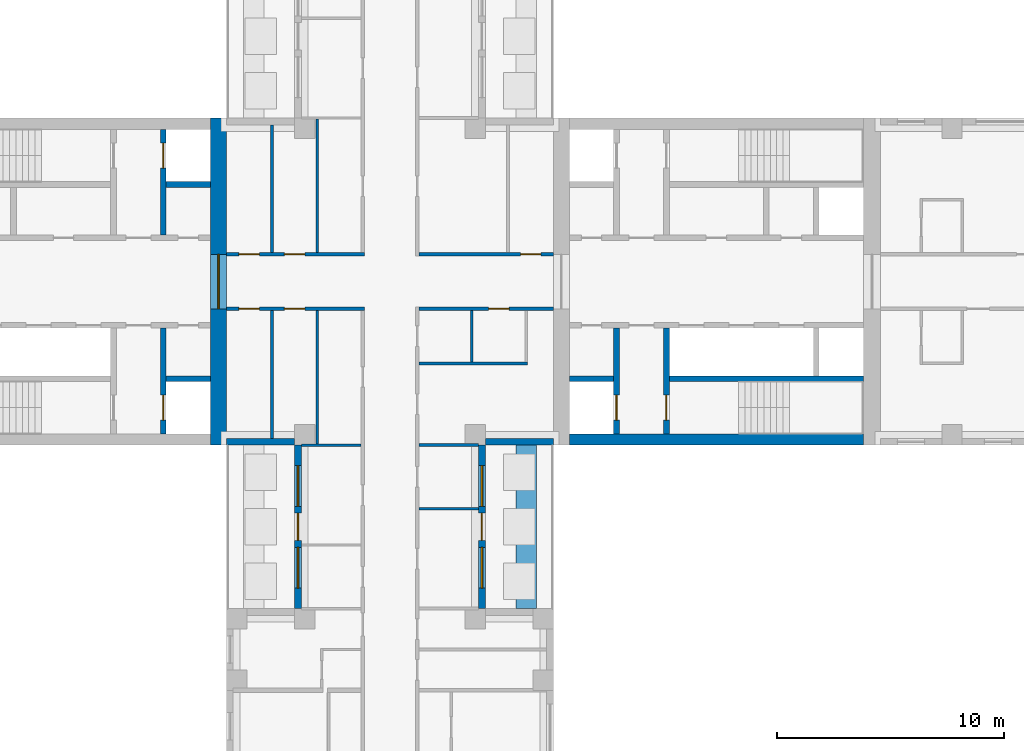
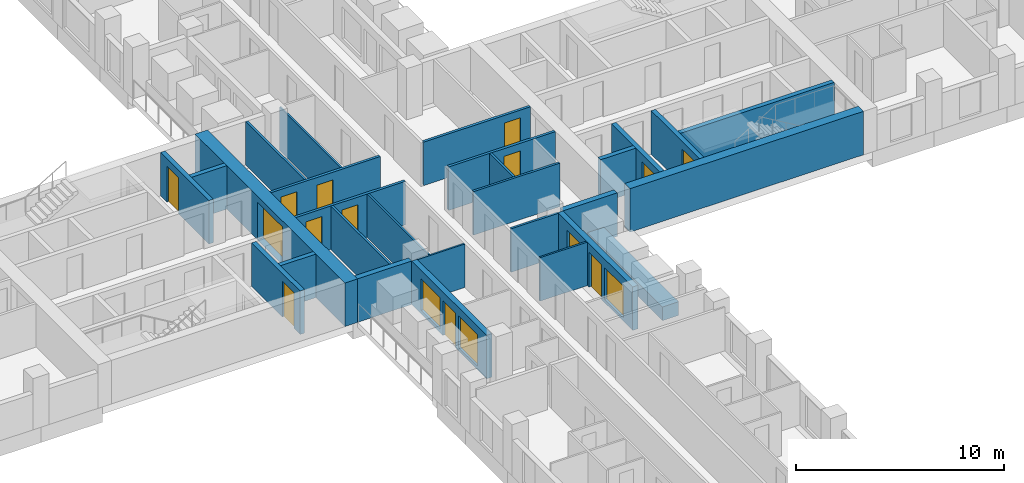
# One storey, part 7 of 15: 28 walls, 13 doors, 4 windows, 17 openings.
"""IFC4 building model written with IfcOpenShell, lengths in metres."""

from ifc_helpers import new_model, si_unit, direction, frame, frame_2d, origin, place, context, subcontext, project, spatial, rectangle, extrude, material, layer, layer_set, type_object, element, fill, save


model = new_model("IFC4")

# Units and contexts
model_context = context("Model", 3, precision=1e-05, world=origin(), true_north=direction((0.0, 1.0)))
body_context = subcontext(model_context, "Body", "Model", "MODEL_VIEW")
ifc_project = project(units=[si_unit("LENGTHUNIT", "METRE"), si_unit("AREAUNIT", "SQUARE_METRE"), si_unit("VOLUMEUNIT", "CUBIC_METRE"), si_unit("PLANEANGLEUNIT", "RADIAN"), si_unit("MASSUNIT", "GRAM", prefix="KILO")], contexts=[model_context])

# Site, building, storey
site_placement = place(None, origin())
site = spatial("IfcSite", under=ifc_project, at=site_placement, CompositionType="ELEMENT")
building_placement = place(site_placement, origin())
building = spatial("IfcBuilding", under=site, at=building_placement, Name="Fustian Cross Tower", CompositionType="ELEMENT")
storey_placement = place(building_placement, frame((0.0, 0.0, 59.699951171875)))
storey = spatial("IfcBuildingStorey", under=building, at=storey_placement, Name="L18", CompositionType="ELEMENT", Elevation=59.699951171875)

# Wall, openings, doors
ifc_material_1 = material(Name="Plasterboard on steel stud", Category="steel")
ifc_layer_1 = layer(ifc_material_1, 0.14990234375)
ifc_layer_set_1 = layer_set([ifc_layer_1], Name="Plasterboard on steel stud")
wall_type_1 = type_object("IfcWallType", Name="COMPARTMENT WALL 150 EI 60", PredefinedType="PARTITIONING", material=ifc_layer_set_1)
wall_1_placement = place(storey_placement, frame((-7.199951171875, -1.199951171875, 0.0), z_axis=(0.0, 0.0, 1.0), x_axis=(1.0, 0.0, 0.0)))
wall_1 = element("IfcWall", 1, at=wall_1_placement, inside=storey, type_object=wall_type_1, Name="Partition 12", PredefinedType="PARTITIONING", context=body_context, shape_type="SweptSolid", body=[
    extrude(rectangle(XDim=6.074951171875, YDim=0.14990234375, at=frame_2d((3.03759765625, 0.0))), origin(), (0.0, 0.0, 1.0), 2.550048828125),
])
opening_1_placement = place(wall_1_placement, frame((2.550048828125, 0.0, 0.0)))
opening_1 = element("IfcOpeningElement", 2, at=opening_1_placement, cuts=wall_1, Name="Opening D09010", PredefinedType="OPENING", context=body_context, shape_type="SweptSolid", body=[
    extrude(rectangle(XDim=0.89990234375, YDim=2.10009765625, at=frame_2d((0.449951171875, 1.050048828125))), frame((0.0, 0.0849609375, 0.0), z_axis=(0.0, -1.0, 0.0), x_axis=(1.0, 0.0, 0.0)), (0.0, 0.0, 1.0), 0.169921875),
])
opening_2_placement = place(wall_1_placement, frame((0.550048828125, 0.0, 0.0)))
opening_2 = element("IfcOpeningElement", 3, at=opening_2_placement, cuts=wall_1, Name="Opening D09011", PredefinedType="OPENING", context=body_context, shape_type="SweptSolid", body=[
    extrude(rectangle(XDim=0.89990234375, YDim=2.10009765625, at=frame_2d((0.449951171875, 1.050048828125))), frame((0.0, 0.0849609375, 0.0), z_axis=(0.0, -1.0, 0.0), x_axis=(1.0, 0.0, 0.0)), (0.0, 0.0, 1.0), 0.169921875),
])
ifc_material_2 = material(Name="Timber fire door set", Category="wood")
door_type_1 = type_object("IfcDoorType", Name="FIRE SWING DOOR 900 FD30S", OperationType="SINGLE_SWING_LEFT", PredefinedType="DOOR", material=ifc_material_2)
door_1_placement = place(opening_1_placement, frame((0.89990234375, 0.0, 0.0), z_axis=(0.0, 0.0, 1.0), x_axis=(-1.0, 0.0, 0.0)))
door_1 = element("IfcDoor", 4, at=door_1_placement, inside=storey, type_object=door_type_1, Name="Door D09010", OperationType="SINGLE_SWING_RIGHT", OverallHeight=2.10009765625, OverallWidth=0.89990234375, PredefinedType="DOOR", context=body_context, shape_type="SweptSolid", body=[
    extrude(rectangle(XDim=0.89990234375, YDim=2.10009765625, at=frame_2d((0.449951171875, 1.050048828125))), frame((0.0, 0.02490234375, 0.0), z_axis=(0.0, -1.0, 0.0), x_axis=(1.0, 0.0, 0.0)), (0.0, 0.0, 1.0), 0.050048828125),
])
fill(opening_1, door_1)
door_2_placement = place(opening_2_placement, frame((0.89990234375, 0.0, 0.0), z_axis=(0.0, 0.0, 1.0), x_axis=(-1.0, 0.0, 0.0)))
door_2 = element("IfcDoor", 5, at=door_2_placement, inside=storey, type_object=door_type_1, Name="Door D09011", OperationType="SINGLE_SWING_RIGHT", OverallHeight=2.10009765625, OverallWidth=0.89990234375, PredefinedType="DOOR", context=body_context, shape_type="SweptSolid", body=[
    extrude(rectangle(XDim=0.89990234375, YDim=2.10009765625, at=frame_2d((0.449951171875, 1.050048828125))), frame((0.0, 0.02490234375, 0.0), z_axis=(0.0, -1.0, 0.0), x_axis=(1.0, 0.0, 0.0)), (0.0, 0.0, 1.0), 0.050048828125),
])
fill(opening_2, door_2)

wall_2_placement = place(storey_placement, frame((-7.199951171875, 1.199951171875, 0.0), z_axis=(0.0, 0.0, 1.0), x_axis=(1.0, 0.0, 0.0)))
wall_2 = element("IfcWall", 6, at=wall_2_placement, inside=storey, type_object=wall_type_1, Name="Partition 13", PredefinedType="PARTITIONING", context=body_context, shape_type="SweptSolid", body=[
    extrude(rectangle(XDim=6.074951171875, YDim=0.14990234375, at=frame_2d((3.03759765625, 0.0))), origin(), (0.0, 0.0, 1.0), 2.550048828125),
])
opening_3_placement = place(wall_2_placement, frame((2.550048828125, 0.0, 0.0)))
opening_3 = element("IfcOpeningElement", 7, at=opening_3_placement, cuts=wall_2, Name="Opening D09004", PredefinedType="OPENING", context=body_context, shape_type="SweptSolid", body=[
    extrude(rectangle(XDim=0.89990234375, YDim=2.10009765625, at=frame_2d((0.449951171875, 1.050048828125))), frame((0.0, 0.0849609375, 0.0), z_axis=(0.0, -1.0, 0.0), x_axis=(1.0, 0.0, 0.0)), (0.0, 0.0, 1.0), 0.169921875),
])
opening_4_placement = place(wall_2_placement, frame((0.550048828125, 0.0, 0.0)))
opening_4 = element("IfcOpeningElement", 8, at=opening_4_placement, cuts=wall_2, Name="Opening D09005", PredefinedType="OPENING", context=body_context, shape_type="SweptSolid", body=[
    extrude(rectangle(XDim=0.89990234375, YDim=2.10009765625, at=frame_2d((0.449951171875, 1.050048828125))), frame((0.0, 0.0849609375, 0.0), z_axis=(0.0, -1.0, 0.0), x_axis=(1.0, 0.0, 0.0)), (0.0, 0.0, 1.0), 0.169921875),
])
door_3_placement = place(opening_3_placement, origin())
door_3 = element("IfcDoor", 9, at=door_3_placement, inside=storey, type_object=door_type_1, Name="Door D09004", OperationType="SINGLE_SWING_LEFT", OverallHeight=2.10009765625, OverallWidth=0.89990234375, PredefinedType="DOOR", context=body_context, shape_type="SweptSolid", body=[
    extrude(rectangle(XDim=0.89990234375, YDim=2.10009765625, at=frame_2d((0.449951171875, 1.050048828125))), frame((0.0, 0.02490234375, 0.0), z_axis=(0.0, -1.0, 0.0), x_axis=(1.0, 0.0, 0.0)), (0.0, 0.0, 1.0), 0.050048828125),
])
fill(opening_3, door_3)
door_4_placement = place(opening_4_placement, origin())
door_4 = element("IfcDoor", 10, at=door_4_placement, inside=storey, type_object=door_type_1, Name="Door D09005", OperationType="SINGLE_SWING_LEFT", OverallHeight=2.10009765625, OverallWidth=0.89990234375, PredefinedType="DOOR", context=body_context, shape_type="SweptSolid", body=[
    extrude(rectangle(XDim=0.89990234375, YDim=2.10009765625, at=frame_2d((0.449951171875, 1.050048828125))), frame((0.0, 0.02490234375, 0.0), z_axis=(0.0, -1.0, 0.0), x_axis=(1.0, 0.0, 0.0)), (0.0, 0.0, 1.0), 0.050048828125),
])
fill(opening_4, door_4)

# Wall, opening, door
wall_3_placement = place(storey_placement, frame((1.27490234375, -1.199951171875, 0.0), z_axis=(0.0, 0.0, 1.0), x_axis=(1.0, 0.0, 0.0)))
wall_3 = element("IfcWall", 11, at=wall_3_placement, inside=storey, type_object=wall_type_1, Name="Partition 56", PredefinedType="PARTITIONING", context=body_context, shape_type="SweptSolid", body=[
    extrude(rectangle(XDim=5.925048828125, YDim=0.14990234375, at=frame_2d((2.96240234375, 0.0))), origin(), (0.0, 0.0, 1.0), 2.550048828125),
])
opening_5_placement = place(wall_3_placement, frame((3.074951171875, 0.0, 0.0)))
opening_5 = element("IfcOpeningElement", 12, at=opening_5_placement, cuts=wall_3, Name="Opening D09007", PredefinedType="OPENING", context=body_context, shape_type="SweptSolid", body=[
    extrude(rectangle(XDim=0.89990234375, YDim=2.10009765625, at=frame_2d((0.449951171875, 1.050048828125))), frame((0.0, 0.0849609375, 0.0), z_axis=(0.0, -1.0, 0.0), x_axis=(1.0, 0.0, 0.0)), (0.0, 0.0, 1.0), 0.169921875),
])
door_5_placement = place(opening_5_placement, frame((0.89990234375, 0.0, 0.0), z_axis=(0.0, 0.0, 1.0), x_axis=(-1.0, 0.0, 0.0)))
door_5 = element("IfcDoor", 13, at=door_5_placement, inside=storey, type_object=door_type_1, Name="Door D09007", OperationType="SINGLE_SWING_RIGHT", OverallHeight=2.10009765625, OverallWidth=0.89990234375, PredefinedType="DOOR", context=body_context, shape_type="SweptSolid", body=[
    extrude(rectangle(XDim=0.89990234375, YDim=2.10009765625, at=frame_2d((0.449951171875, 1.050048828125))), frame((0.0, 0.02490234375, 0.0), z_axis=(0.0, -1.0, 0.0), x_axis=(1.0, 0.0, 0.0)), (0.0, 0.0, 1.0), 0.050048828125),
])
fill(opening_5, door_5)

wall_4_placement = place(storey_placement, frame((1.27490234375, 1.199951171875, 0.0), z_axis=(0.0, 0.0, 1.0), x_axis=(1.0, 0.0, 0.0)))
wall_4 = element("IfcWall", 14, at=wall_4_placement, inside=storey, type_object=wall_type_1, Name="Partition 58", PredefinedType="PARTITIONING", context=body_context, shape_type="SweptSolid", body=[
    extrude(rectangle(XDim=5.925048828125, YDim=0.14990234375, at=frame_2d((2.96240234375, 0.0))), origin(), (0.0, 0.0, 1.0), 2.550048828125),
])
opening_6_placement = place(wall_4_placement, frame((4.47509765625, 0.0, 0.0)))
opening_6 = element("IfcOpeningElement", 15, at=opening_6_placement, cuts=wall_4, Name="Opening D09002", PredefinedType="OPENING", context=body_context, shape_type="SweptSolid", body=[
    extrude(rectangle(XDim=0.89990234375, YDim=2.10009765625, at=frame_2d((0.449951171875, 1.050048828125))), frame((0.0, 0.0849609375, 0.0), z_axis=(0.0, -1.0, 0.0), x_axis=(1.0, 0.0, 0.0)), (0.0, 0.0, 1.0), 0.169921875),
])
door_6_placement = place(opening_6_placement, origin())
door_6 = element("IfcDoor", 16, at=door_6_placement, inside=storey, type_object=door_type_1, Name="Door D09002", OperationType="SINGLE_SWING_LEFT", OverallHeight=2.10009765625, OverallWidth=0.89990234375, PredefinedType="DOOR", context=body_context, shape_type="SweptSolid", body=[
    extrude(rectangle(XDim=0.89990234375, YDim=2.10009765625, at=frame_2d((0.449951171875, 1.050048828125))), frame((0.0, 0.02490234375, 0.0), z_axis=(0.0, -1.0, 0.0), x_axis=(1.0, 0.0, 0.0)), (0.0, 0.0, 1.0), 0.050048828125),
])
fill(opening_6, door_6)

ifc_material_3 = material(Name="Concrete C80/95", Category="concrete")
ifc_layer_2 = layer(ifc_material_3, 0.699951171875)
ifc_layer_set_2 = layer_set([ifc_layer_2], Name="Concrete C80/95")
wall_type_2 = type_object("IfcWallType", Name="CORE END WALL 700 C80/95", PredefinedType="SHEAR", material=ifc_layer_set_2)
wall_5_placement = place(storey_placement, frame((-7.550048828125, -7.199951171875, 0.0), z_axis=(0.0, 0.0, 1.0), x_axis=(0.0, 1.0, 0.0)))
wall_5 = element("IfcWall", 17, at=wall_5_placement, inside=storey, type_object=wall_type_2, Name="Core end wall", PredefinedType="SHEAR", context=body_context, shape_type="SweptSolid", body=[
    extrude(rectangle(XDim=14.39990234375, YDim=0.699951171875, at=frame_2d((7.199951171875, 0.0))), origin(), (0.0, 0.0, 1.0), 2.550048828125),
])
opening_7_placement = place(wall_5_placement, frame((6.0, 0.0, 0.0)))
opening_7 = element("IfcOpeningElement", 18, at=opening_7_placement, cuts=wall_5, Name="Opening CD-07-27", PredefinedType="OPENING", context=body_context, shape_type="SweptSolid", body=[
    extrude(rectangle(XDim=2.39990234375, YDim=2.199951171875, at=frame_2d((1.199951171875, 1.10009765625))), frame((0.0, 0.35986328125, 0.0), z_axis=(0.0, -1.0, 0.0), x_axis=(1.0, 0.0, 0.0)), (0.0, 0.0, 1.0), 0.719970703125),
])
ifc_material_4 = material(Name="Steel", Category="steel")
door_type_2 = type_object("IfcDoorType", Name="FIRE DOOR FD30S DOUBLE 2400X2200", OperationType="DOUBLE_DOOR_DOUBLE_SWING", PredefinedType="DOOR", material=ifc_material_4)
door_7_placement = place(opening_7_placement, origin())
door_7 = element("IfcDoor", 19, at=door_7_placement, inside=storey, type_object=door_type_2, Name="Core door CD-07-27", OperationType="DOUBLE_DOOR_DOUBLE_SWING", OverallHeight=2.199951171875, OverallWidth=2.39990234375, PredefinedType="DOOR", context=body_context, shape_type="SweptSolid", body=[
    extrude(rectangle(XDim=2.39990234375, YDim=2.199951171875, at=frame_2d((1.199951171875, 1.10009765625))), frame((0.0, 0.02490234375, 0.0), z_axis=(0.0, -1.0, 0.0), x_axis=(1.0, 0.0, 0.0)), (0.0, 0.0, 1.0), 0.050048828125),
])
fill(opening_7, door_7)

# Walls
ifc_material_5 = material(Name="Concrete C80/95", Category="concrete")
ifc_layer_3 = layer(ifc_material_5, 0.5)
ifc_layer_set_3 = layer_set([ifc_layer_3], Name="Concrete C80/95")
wall_type_3 = type_object("IfcWallType", Name="CORE FACADE WALL 500 C80/95", PredefinedType="SHEAR", material=ifc_layer_set_3)
wall_6_placement = place(storey_placement, frame((7.89990234375, -6.949951171875, 0.0), z_axis=(0.0, 0.0, 1.0), x_axis=(1.0, 0.0, 0.0)))
element("IfcWall", 20, at=wall_6_placement, inside=storey, type_object=wall_type_3, Name="Core facade wall", PredefinedType="SHEAR", context=body_context, shape_type="SweptSolid", body=[
    extrude(rectangle(XDim=12.9501953125, YDim=0.5, at=frame_2d((6.47509765625, 0.0))), origin(), (0.0, 0.0, 1.0), 2.550048828125),
])
ifc_material_6 = material(Name="Concrete C50/60", Category="concrete")
ifc_layer_4 = layer(ifc_material_6, 0.25)
ifc_layer_set_4 = layer_set([ifc_layer_4], Name="Concrete C50/60")
wall_type_4 = type_object("IfcWallType", Name="CORE SHAFT WALL 250 C50/60", PredefinedType="SHEAR", material=ifc_layer_set_4)
wall_7_placement = place(storey_placement, frame((7.89990234375, -4.27490234375, 0.0), z_axis=(0.0, 0.0, 1.0), x_axis=(1.0, 0.0, 0.0)))
element("IfcWall", 21, at=wall_7_placement, inside=storey, type_object=wall_type_4, Name="Core shaft wall", PredefinedType="SHEAR", context=body_context, shape_type="SweptSolid", body=[
    extrude(rectangle(XDim=1.9501953125, YDim=0.25, at=frame_2d((0.97509765625, 0.0))), origin(), (0.0, 0.0, 1.0), 2.550048828125),
])
wall_8_placement = place(storey_placement, frame((12.300048828125, -4.27490234375, 0.0), z_axis=(0.0, 0.0, 1.0), x_axis=(1.0, 0.0, 0.0)))
element("IfcWall", 22, at=wall_8_placement, inside=storey, type_object=wall_type_4, Name="Core shaft wall", PredefinedType="SHEAR", context=body_context, shape_type="SweptSolid", body=[
    extrude(rectangle(XDim=8.550048828125, YDim=0.25, at=frame_2d((4.27490234375, 0.0))), origin(), (0.0, 0.0, 1.0), 2.550048828125),
])

# Wall, opening, door
wall_9_placement = place(storey_placement, frame((9.97509765625, -2.050048828125, 0.0), z_axis=(0.0, 0.0, 1.0), x_axis=(0.0, -1.0, 0.0)))
wall_9 = element("IfcWall", 23, at=wall_9_placement, inside=storey, type_object=wall_type_4, Name="Core shaft wall", PredefinedType="SHEAR", context=body_context, shape_type="SweptSolid", body=[
    extrude(rectangle(XDim=4.64990234375, YDim=0.25, at=frame_2d((2.324951171875, 0.0))), origin(), (0.0, 0.0, 1.0), 2.550048828125),
])
opening_8_placement = place(wall_9_placement, frame((2.949951171875, 0.0, 0.0)))
opening_8 = element("IfcOpeningElement", 24, at=opening_8_placement, cuts=wall_9, Name="Opening LD", PredefinedType="OPENING", context=body_context, shape_type="SweptSolid", body=[
    extrude(rectangle(XDim=1.10009765625, YDim=2.10009765625, at=frame_2d((0.550048828125, 1.050048828125))), frame((0.0, 0.135009765625, 0.0), z_axis=(0.0, -1.0, 0.0), x_axis=(1.0, 0.0, 0.0)), (0.0, 0.0, 1.0), 0.27001953125),
])
ifc_material_7 = material(Name="Stainless steel", Category="steel")
door_type_3 = type_object("IfcDoorType", Name="LIFT LANDING DOOR 1100X2100", OperationType="SLIDING_TO_LEFT", PredefinedType="DOOR", material=ifc_material_7)
door_8_placement = place(opening_8_placement, origin())
door_8 = element("IfcDoor", 25, at=door_8_placement, inside=storey, type_object=door_type_3, Name="Landing door SV1", OperationType="SLIDING_TO_LEFT", OverallHeight=2.10009765625, OverallWidth=1.10009765625, PredefinedType="DOOR", context=body_context, shape_type="SweptSolid", body=[
    extrude(rectangle(XDim=1.10009765625, YDim=2.10009765625, at=frame_2d((0.550048828125, 1.050048828125))), frame((0.0, 0.02490234375, 0.0), z_axis=(0.0, -1.0, 0.0), x_axis=(1.0, 0.0, 0.0)), (0.0, 0.0, 1.0), 0.050048828125),
])
fill(opening_8, door_8)

wall_10_placement = place(storey_placement, frame((12.175048828125, -2.050048828125, 0.0), z_axis=(0.0, 0.0, 1.0), x_axis=(0.0, -1.0, 0.0)))
wall_10 = element("IfcWall", 26, at=wall_10_placement, inside=storey, type_object=wall_type_4, Name="Core shaft wall", PredefinedType="SHEAR", context=body_context, shape_type="SweptSolid", body=[
    extrude(rectangle(XDim=4.64990234375, YDim=0.25, at=frame_2d((2.324951171875, 0.0))), origin(), (0.0, 0.0, 1.0), 2.550048828125),
])
opening_9_placement = place(wall_10_placement, frame((2.949951171875, 0.0, 0.0)))
opening_9 = element("IfcOpeningElement", 27, at=opening_9_placement, cuts=wall_10, Name="Opening CD-07-07", PredefinedType="OPENING", context=body_context, shape_type="SweptSolid", body=[
    extrude(rectangle(XDim=1.10009765625, YDim=2.10009765625, at=frame_2d((0.550048828125, 1.050048828125))), frame((0.0, 0.135009765625, 0.0), z_axis=(0.0, -1.0, 0.0), x_axis=(1.0, 0.0, 0.0)), (0.0, 0.0, 1.0), 0.27001953125),
])
ifc_material_8 = material(Name="Steel", Category="steel")
door_type_4 = type_object("IfcDoorType", Name="FIRE DOOR FD60S 1100X2100", OperationType="SINGLE_SWING_LEFT", PredefinedType="DOOR", material=ifc_material_8)
door_9_placement = place(opening_9_placement, origin())
door_9 = element("IfcDoor", 28, at=door_9_placement, inside=storey, type_object=door_type_4, Name="Core door CD-07-07", OperationType="SINGLE_SWING_LEFT", OverallHeight=2.10009765625, OverallWidth=1.10009765625, PredefinedType="DOOR", context=body_context, shape_type="SweptSolid", body=[
    extrude(rectangle(XDim=1.10009765625, YDim=2.10009765625, at=frame_2d((0.550048828125, 1.050048828125))), frame((0.0, 0.02490234375, 0.0), z_axis=(0.0, -1.0, 0.0), x_axis=(1.0, 0.0, 0.0)), (0.0, 0.0, 1.0), 0.050048828125),
])
fill(opening_9, door_9)

# Wall
wall_11_placement = place(storey_placement, frame((-7.89990234375, 4.27490234375, 0.0), z_axis=(0.0, 0.0, 1.0), x_axis=(-1.0, 0.0, 0.0)))
element("IfcWall", 29, at=wall_11_placement, inside=storey, type_object=wall_type_4, Name="Core shaft wall", PredefinedType="SHEAR", context=body_context, shape_type="SweptSolid", body=[
    extrude(rectangle(XDim=1.9501953125, YDim=0.25, at=frame_2d((0.97509765625, 0.0))), origin(), (0.0, 0.0, 1.0), 2.550048828125),
])

# Wall, opening, door
wall_12_placement = place(storey_placement, frame((-9.97509765625, 2.050048828125, 0.0), z_axis=(0.0, 0.0, 1.0), x_axis=(0.0, 1.0, 0.0)))
wall_12 = element("IfcWall", 30, at=wall_12_placement, inside=storey, type_object=wall_type_4, Name="Core shaft wall", PredefinedType="SHEAR", context=body_context, shape_type="SweptSolid", body=[
    extrude(rectangle(XDim=4.64990234375, YDim=0.25, at=frame_2d((2.324951171875, 0.0))), origin(), (0.0, 0.0, 1.0), 2.550048828125),
])
opening_10_placement = place(wall_12_placement, frame((2.949951171875, 0.0, 0.0)))
opening_10 = element("IfcOpeningElement", 31, at=opening_10_placement, cuts=wall_12, Name="Opening LD", PredefinedType="OPENING", context=body_context, shape_type="SweptSolid", body=[
    extrude(rectangle(XDim=1.10009765625, YDim=2.10009765625, at=frame_2d((0.550048828125, 1.050048828125))), frame((0.0, 0.135009765625, 0.0), z_axis=(0.0, -1.0, 0.0), x_axis=(1.0, 0.0, 0.0)), (0.0, 0.0, 1.0), 0.27001953125),
])
door_10_placement = place(opening_10_placement, origin())
door_10 = element("IfcDoor", 32, at=door_10_placement, inside=storey, type_object=door_type_3, Name="Landing door FL1W", OperationType="SLIDING_TO_LEFT", OverallHeight=2.10009765625, OverallWidth=1.10009765625, PredefinedType="DOOR", context=body_context, shape_type="SweptSolid", body=[
    extrude(rectangle(XDim=1.10009765625, YDim=2.10009765625, at=frame_2d((0.550048828125, 1.050048828125))), frame((0.0, 0.02490234375, 0.0), z_axis=(0.0, -1.0, 0.0), x_axis=(1.0, 0.0, 0.0)), (0.0, 0.0, 1.0), 0.050048828125),
])
fill(opening_10, door_10)

# Wall
wall_13_placement = place(storey_placement, frame((-7.89990234375, -4.27490234375, 0.0), z_axis=(0.0, 0.0, 1.0), x_axis=(-1.0, 0.0, 0.0)))
element("IfcWall", 33, at=wall_13_placement, inside=storey, type_object=wall_type_4, Name="Core shaft wall", PredefinedType="SHEAR", context=body_context, shape_type="SweptSolid", body=[
    extrude(rectangle(XDim=1.9501953125, YDim=0.25, at=frame_2d((0.97509765625, 0.0))), origin(), (0.0, 0.0, 1.0), 2.550048828125),
])

# Wall, opening, door
wall_14_placement = place(storey_placement, frame((-9.97509765625, -2.050048828125, 0.0), z_axis=(0.0, 0.0, 1.0), x_axis=(0.0, -1.0, 0.0)))
wall_14 = element("IfcWall", 34, at=wall_14_placement, inside=storey, type_object=wall_type_4, Name="Core shaft wall", PredefinedType="SHEAR", context=body_context, shape_type="SweptSolid", body=[
    extrude(rectangle(XDim=4.64990234375, YDim=0.25, at=frame_2d((2.324951171875, 0.0))), origin(), (0.0, 0.0, 1.0), 2.550048828125),
])
opening_11_placement = place(wall_14_placement, frame((2.949951171875, 0.0, 0.0)))
opening_11 = element("IfcOpeningElement", 35, at=opening_11_placement, cuts=wall_14, Name="Opening LD", PredefinedType="OPENING", context=body_context, shape_type="SweptSolid", body=[
    extrude(rectangle(XDim=1.10009765625, YDim=2.10009765625, at=frame_2d((0.550048828125, 1.050048828125))), frame((0.0, 0.135009765625, 0.0), z_axis=(0.0, -1.0, 0.0), x_axis=(1.0, 0.0, 0.0)), (0.0, 0.0, 1.0), 0.27001953125),
])
door_11_placement = place(opening_11_placement, origin())
door_11 = element("IfcDoor", 36, at=door_11_placement, inside=storey, type_object=door_type_3, Name="Landing door SV1W", OperationType="SLIDING_TO_LEFT", OverallHeight=2.10009765625, OverallWidth=1.10009765625, PredefinedType="DOOR", context=body_context, shape_type="SweptSolid", body=[
    extrude(rectangle(XDim=1.10009765625, YDim=2.10009765625, at=frame_2d((0.550048828125, 1.050048828125))), frame((0.0, 0.02490234375, 0.0), z_axis=(0.0, -1.0, 0.0), x_axis=(1.0, 0.0, 0.0)), (0.0, 0.0, 1.0), 0.050048828125),
])
fill(opening_11, door_11)

# Walls
ifc_material_9 = material(Name="Plasterboard on steel stud", Category="steel")
ifc_layer_5 = layer(ifc_material_9, 0.10009765625)
ifc_layer_set_5 = layer_set([ifc_layer_5], Name="Plasterboard on steel stud")
wall_type_5 = type_object("IfcWallType", Name="PARTITION 100 STUD", PredefinedType="PARTITIONING", material=ifc_layer_set_5)
wall_15_placement = place(storey_placement, frame((-3.89990234375, -7.199951171875, 0.0), z_axis=(0.0, 0.0, 1.0), x_axis=(1.0, 0.0, 0.0)))
element("IfcWall", 37, at=wall_15_placement, inside=storey, type_object=wall_type_5, Name="Partition 30", PredefinedType="PARTITIONING", context=body_context, shape_type="SweptSolid", body=[
    extrude(rectangle(XDim=2.625, YDim=0.10009765625, at=frame_2d((1.3125, 0.0))), origin(), (0.0, 0.0, 1.0), 2.550048828125),
])
for number, where, z_axis, x_axis, name in (
    (38, (-3.199951171875, -7.14990234375, 0.0), (0.0, 0.0, 1.0), (0.0, 1.0, 0.0), "Partition 40"),
    (39, (-3.199951171875, 1.27490234375, 0.0), (0.0, 0.0, 1.0), (0.0, 1.0, 0.0), "Partition 41"),
):
    element("IfcWall", number, at=place(storey_placement, frame(where, z_axis=z_axis, x_axis=x_axis)), inside=storey, type_object=wall_type_5, Name=name, PredefinedType="PARTITIONING", context=body_context, shape_type="SweptSolid", body=[
        extrude(rectangle(XDim=5.875, YDim=0.10009765625, at=frame_2d((2.9375, 0.0))), origin(), (0.0, 0.0, 1.0), 2.550048828125),
    ])
wall_16_placement = place(storey_placement, frame((1.27490234375, -10.0, 0.0), z_axis=(0.0, 0.0, 1.0), x_axis=(1.0, 0.0, 0.0)))
element("IfcWall", 40, at=wall_16_placement, inside=storey, type_object=wall_type_5, Name="Partition 53", PredefinedType="PARTITIONING", context=body_context, shape_type="SweptSolid", body=[
    extrude(rectangle(XDim=2.625, YDim=0.10009765625, at=frame_2d((1.3125, 0.0))), origin(), (0.0, 0.0, 1.0), 2.550048828125),
])
ifc_material_10 = material(Name="Concrete C40/50", Category="concrete")
ifc_layer_6 = layer(ifc_material_10, 0.89990234375)
ifc_layer_set_6 = layer_set([ifc_layer_6], Name="Concrete C40/50")
wall_type_6 = type_object("IfcWallType", Name="PK1 PLANTER 900", PredefinedType="PARAPET", material=ifc_layer_set_6)
wall_17_placement = place(storey_placement, frame((6.0, -14.39990234375, 0.0), z_axis=(0.0, 0.0, 1.0), x_axis=(0.0, 1.0, 0.0)))
element("IfcWall", 41, at=wall_17_placement, inside=storey, type_object=wall_type_6, Name="PLANTER", PredefinedType="PARAPET", context=body_context, shape_type="SweptSolid", body=[
    extrude(rectangle(XDim=7.199951171875, YDim=0.89990234375, at=frame_2d((3.60009765625, 0.0))), origin(), (0.0, 0.0, 1.0), 0.800048828125),
])
ifc_material_11 = material(Name="Plasterboard on steel stud", Category="steel")
ifc_layer_7 = layer(ifc_material_11, 0.125)
ifc_layer_set_7 = layer_set([ifc_layer_7], Name="Plasterboard on steel stud")
wall_type_7 = type_object("IfcWallType", Name="WET WALL 125 STUD", PredefinedType="PARTITIONING", material=ifc_layer_set_7)
for number, where, z_axis, x_axis, name in (
    (42, (-5.199951171875, -6.89990234375, 0.0), (0.0, 0.0, 1.0), (0.0, 1.0, 0.0), "Partition 22"),
    (43, (-5.199951171875, 1.27490234375, 0.0), (0.0, 0.0, 1.0), (0.0, 1.0, 0.0), "Partition 23"),
):
    element("IfcWall", number, at=place(storey_placement, frame(where, z_axis=z_axis, x_axis=x_axis)), inside=storey, type_object=wall_type_7, Name=name, PredefinedType="PARTITIONING", context=body_context, shape_type="SweptSolid", body=[
        extrude(rectangle(XDim=5.625, YDim=0.125, at=frame_2d((2.8125, 0.0))), origin(), (0.0, 0.0, 1.0), 2.550048828125),
    ])
wall_18_placement = place(storey_placement, frame((1.27490234375, -7.199951171875, 0.0), z_axis=(0.0, 0.0, 1.0), x_axis=(1.0, 0.0, 0.0)))
element("IfcWall", 44, at=wall_18_placement, inside=storey, type_object=wall_type_7, Name="Partition 54", PredefinedType="PARTITIONING", context=body_context, shape_type="SweptSolid", body=[
    extrude(rectangle(XDim=2.625, YDim=0.125, at=frame_2d((1.3125, 0.0))), origin(), (0.0, 0.0, 1.0), 2.550048828125),
])
wall_19_placement = place(storey_placement, frame((1.27490234375, -3.60009765625, 0.0), z_axis=(0.0, 0.0, 1.0), x_axis=(1.0, 0.0, 0.0)))
element("IfcWall", 45, at=wall_19_placement, inside=storey, type_object=wall_type_7, Name="Partition 55", PredefinedType="PARTITIONING", context=body_context, shape_type="SweptSolid", body=[
    extrude(rectangle(XDim=4.78759765625, YDim=0.125, at=frame_2d((2.393798828125, 0.0))), origin(), (0.0, 0.0, 1.0), 2.550048828125),
])
wall_20_placement = place(storey_placement, frame((3.60009765625, -3.53759765625, 0.0), z_axis=(0.0, 0.0, 1.0), x_axis=(0.0, 1.0, 0.0)))
element("IfcWall", 46, at=wall_20_placement, inside=storey, type_object=wall_type_7, Name="Partition 76", PredefinedType="PARTITIONING", context=body_context, shape_type="SweptSolid", body=[
    extrude(rectangle(XDim=2.2626953125, YDim=0.125, at=frame_2d((1.13134765625, 0.0))), origin(), (0.0, 0.0, 1.0), 2.550048828125),
])
ifc_material_12 = material(Name="Dark aluminium cladding on insulated backing wall", Category="aluminium")
ifc_layer_8 = layer(ifc_material_12, 0.300048828125)
ifc_layer_set_8 = layer_set([ifc_layer_8], Name="Dark aluminium cladding on insulated backing wall")
wall_type_8 = type_object("IfcWallType", Name="XW1 EXTERNAL WALL 300", PredefinedType="SOLIDWALL", material=ifc_layer_set_8)
wall_21_placement = place(storey_placement, frame((-7.199951171875, -7.050048828125, 0.0), z_axis=(0.0, 0.0, 1.0), x_axis=(1.0, 0.0, 0.0)))
element("IfcWall", 47, at=wall_21_placement, inside=storey, type_object=wall_type_8, Name="External wall", PredefinedType="SOLIDWALL", context=body_context, shape_type="SweptSolid", body=[
    extrude(rectangle(XDim=3.0, YDim=0.300048828125, at=frame_2d((1.5, 0.0))), origin(), (0.0, 0.0, 1.0), 2.550048828125),
])

# Wall, openings, door, windows
wall_22_placement = place(storey_placement, frame((-4.050048828125, -7.199951171875, 0.0), z_axis=(0.0, 0.0, 1.0), x_axis=(0.0, -1.0, 0.0)))
wall_22 = element("IfcWall", 48, at=wall_22_placement, inside=storey, type_object=wall_type_8, Name="External wall", PredefinedType="SOLIDWALL", context=body_context, shape_type="SweptSolid", body=[
    extrude(rectangle(XDim=7.199951171875, YDim=0.300048828125, at=frame_2d((3.60009765625, 0.0))), origin(), (0.0, 0.0, 1.0), 2.550048828125),
])
opening_12_placement = place(wall_22_placement, frame((3.0, 0.0, 0.0)))
opening_12 = element("IfcOpeningElement", 49, at=opening_12_placement, cuts=wall_22, Name="Opening XD4", PredefinedType="OPENING", context=body_context, shape_type="SweptSolid", body=[
    extrude(rectangle(XDim=1.199951171875, YDim=2.050048828125, at=frame_2d((0.60009765625, 1.02490234375))), frame((0.0, 0.159912109375, 0.0), z_axis=(0.0, -1.0, 0.0), x_axis=(1.0, 0.0, 0.0)), (0.0, 0.0, 1.0), 0.320068359375),
])
opening_13_placement = place(wall_22_placement, frame((0.89990234375, 0.0, 0.199951171875)))
opening_13 = element("IfcOpeningElement", 50, at=opening_13_placement, cuts=wall_22, Name="Opening WN2", PredefinedType="OPENING", context=body_context, shape_type="SweptSolid", body=[
    extrude(rectangle(XDim=1.800048828125, YDim=1.85009765625, at=frame_2d((0.89990234375, 0.925048828125))), frame((0.0, 0.159912109375, 0.0), z_axis=(0.0, -1.0, 0.0), x_axis=(1.0, 0.0, 0.0)), (0.0, 0.0, 1.0), 0.320068359375),
])
opening_14_placement = place(wall_22_placement, frame((4.5, 0.0, 0.199951171875)))
opening_14 = element("IfcOpeningElement", 51, at=opening_14_placement, cuts=wall_22, Name="Opening WN2", PredefinedType="OPENING", context=body_context, shape_type="SweptSolid", body=[
    extrude(rectangle(XDim=1.800048828125, YDim=1.85009765625, at=frame_2d((0.89990234375, 0.925048828125))), frame((0.0, 0.159912109375, 0.0), z_axis=(0.0, -1.0, 0.0), x_axis=(1.0, 0.0, 0.0)), (0.0, 0.0, 1.0), 0.320068359375),
])
ifc_material_13 = material(Name="Dark anodised aluminium and double glazing", Category="aluminium")
door_type_5 = type_object("IfcDoorType", Name="ED1 BALCONY DOOR 1200X2050", OperationType="SINGLE_SWING_LEFT", PredefinedType="DOOR", material=ifc_material_13)
door_12_placement = place(opening_12_placement, origin())
door_12 = element("IfcDoor", 52, at=door_12_placement, inside=storey, type_object=door_type_5, Name="Balcony door", OperationType="SINGLE_SWING_LEFT", OverallHeight=2.050048828125, OverallWidth=1.199951171875, PredefinedType="DOOR", context=body_context, shape_type="SweptSolid", body=[
    extrude(rectangle(XDim=1.199951171875, YDim=2.050048828125, at=frame_2d((0.60009765625, 1.02490234375))), frame((0.0, 0.02490234375, 0.0), z_axis=(0.0, -1.0, 0.0), x_axis=(1.0, 0.0, 0.0)), (0.0, 0.0, 1.0), 0.050048828125),
])
fill(opening_12, door_12)
ifc_material_14 = material(Name="Dark anodised aluminium and double glazing", Category="aluminium")
window_type = type_object("IfcWindowType", Name="WN2 WINDOW 1800X1850", PartitioningType="SINGLE_PANEL", PredefinedType="WINDOW", material=ifc_material_14)
window_1_placement = place(opening_13_placement, origin())
window_1 = element("IfcWindow", 53, at=window_1_placement, inside=storey, type_object=window_type, Name="Window", OverallHeight=1.85009765625, OverallWidth=1.800048828125, PartitioningType="SINGLE_PANEL", PredefinedType="WINDOW", context=body_context, shape_type="SweptSolid", body=[
    extrude(rectangle(XDim=1.800048828125, YDim=1.85009765625, at=frame_2d((0.89990234375, 0.925048828125))), frame((0.0, 0.030029296875, 0.0), z_axis=(0.0, -1.0, 0.0), x_axis=(1.0, 0.0, 0.0)), (0.0, 0.0, 1.0), 0.06005859375),
])
fill(opening_13, window_1)
window_2_placement = place(opening_14_placement, origin())
window_2 = element("IfcWindow", 54, at=window_2_placement, inside=storey, type_object=window_type, Name="Window", OverallHeight=1.85009765625, OverallWidth=1.800048828125, PartitioningType="SINGLE_PANEL", PredefinedType="WINDOW", context=body_context, shape_type="SweptSolid", body=[
    extrude(rectangle(XDim=1.800048828125, YDim=1.85009765625, at=frame_2d((0.89990234375, 0.925048828125))), frame((0.0, 0.030029296875, 0.0), z_axis=(0.0, -1.0, 0.0), x_axis=(1.0, 0.0, 0.0)), (0.0, 0.0, 1.0), 0.06005859375),
])
fill(opening_14, window_2)

wall_23_placement = place(storey_placement, frame((4.050048828125, -14.39990234375, 0.0), z_axis=(0.0, 0.0, 1.0), x_axis=(0.0, 1.0, 0.0)))
wall_23 = element("IfcWall", 55, at=wall_23_placement, inside=storey, type_object=wall_type_8, Name="External wall", PredefinedType="SOLIDWALL", context=body_context, shape_type="SweptSolid", body=[
    extrude(rectangle(XDim=7.199951171875, YDim=0.300048828125, at=frame_2d((3.60009765625, 0.0))), origin(), (0.0, 0.0, 1.0), 2.550048828125),
])
opening_15_placement = place(wall_23_placement, frame((3.0, 0.0, 0.0)))
opening_15 = element("IfcOpeningElement", 56, at=opening_15_placement, cuts=wall_23, Name="Opening XD3", PredefinedType="OPENING", context=body_context, shape_type="SweptSolid", body=[
    extrude(rectangle(XDim=1.199951171875, YDim=2.050048828125, at=frame_2d((0.60009765625, 1.02490234375))), frame((0.0, 0.159912109375, 0.0), z_axis=(0.0, -1.0, 0.0), x_axis=(1.0, 0.0, 0.0)), (0.0, 0.0, 1.0), 0.320068359375),
])
opening_16_placement = place(wall_23_placement, frame((0.89990234375, 0.0, 0.199951171875)))
opening_16 = element("IfcOpeningElement", 57, at=opening_16_placement, cuts=wall_23, Name="Opening WN2", PredefinedType="OPENING", context=body_context, shape_type="SweptSolid", body=[
    extrude(rectangle(XDim=1.800048828125, YDim=1.85009765625, at=frame_2d((0.89990234375, 0.925048828125))), frame((0.0, 0.159912109375, 0.0), z_axis=(0.0, -1.0, 0.0), x_axis=(1.0, 0.0, 0.0)), (0.0, 0.0, 1.0), 0.320068359375),
])
opening_17_placement = place(wall_23_placement, frame((4.5, 0.0, 0.199951171875)))
opening_17 = element("IfcOpeningElement", 58, at=opening_17_placement, cuts=wall_23, Name="Opening WN2", PredefinedType="OPENING", context=body_context, shape_type="SweptSolid", body=[
    extrude(rectangle(XDim=1.800048828125, YDim=1.85009765625, at=frame_2d((0.89990234375, 0.925048828125))), frame((0.0, 0.159912109375, 0.0), z_axis=(0.0, -1.0, 0.0), x_axis=(1.0, 0.0, 0.0)), (0.0, 0.0, 1.0), 0.320068359375),
])
door_13_placement = place(opening_15_placement, origin())
door_13 = element("IfcDoor", 59, at=door_13_placement, inside=storey, type_object=door_type_5, Name="Balcony door", OperationType="SINGLE_SWING_LEFT", OverallHeight=2.050048828125, OverallWidth=1.199951171875, PredefinedType="DOOR", context=body_context, shape_type="SweptSolid", body=[
    extrude(rectangle(XDim=1.199951171875, YDim=2.050048828125, at=frame_2d((0.60009765625, 1.02490234375))), frame((0.0, 0.02490234375, 0.0), z_axis=(0.0, -1.0, 0.0), x_axis=(1.0, 0.0, 0.0)), (0.0, 0.0, 1.0), 0.050048828125),
])
fill(opening_15, door_13)
window_3_placement = place(opening_16_placement, origin())
window_3 = element("IfcWindow", 60, at=window_3_placement, inside=storey, type_object=window_type, Name="Window", OverallHeight=1.85009765625, OverallWidth=1.800048828125, PartitioningType="SINGLE_PANEL", PredefinedType="WINDOW", context=body_context, shape_type="SweptSolid", body=[
    extrude(rectangle(XDim=1.800048828125, YDim=1.85009765625, at=frame_2d((0.89990234375, 0.925048828125))), frame((0.0, 0.030029296875, 0.0), z_axis=(0.0, -1.0, 0.0), x_axis=(1.0, 0.0, 0.0)), (0.0, 0.0, 1.0), 0.06005859375),
])
fill(opening_16, window_3)
window_4_placement = place(opening_17_placement, origin())
window_4 = element("IfcWindow", 61, at=window_4_placement, inside=storey, type_object=window_type, Name="Window", OverallHeight=1.85009765625, OverallWidth=1.800048828125, PartitioningType="SINGLE_PANEL", PredefinedType="WINDOW", context=body_context, shape_type="SweptSolid", body=[
    extrude(rectangle(XDim=1.800048828125, YDim=1.85009765625, at=frame_2d((0.89990234375, 0.925048828125))), frame((0.0, 0.030029296875, 0.0), z_axis=(0.0, -1.0, 0.0), x_axis=(1.0, 0.0, 0.0)), (0.0, 0.0, 1.0), 0.06005859375),
])
fill(opening_17, window_4)

# Wall
wall_24_placement = place(storey_placement, frame((4.199951171875, -7.050048828125, 0.0), z_axis=(0.0, 0.0, 1.0), x_axis=(1.0, 0.0, 0.0)))
element("IfcWall", 62, at=wall_24_placement, inside=storey, type_object=wall_type_8, Name="External wall", PredefinedType="SOLIDWALL", context=body_context, shape_type="SweptSolid", body=[
    extrude(rectangle(XDim=3.0, YDim=0.300048828125, at=frame_2d((1.5, 0.0))), origin(), (0.0, 0.0, 1.0), 2.550048828125),
])

save(model, "model.ifc")
